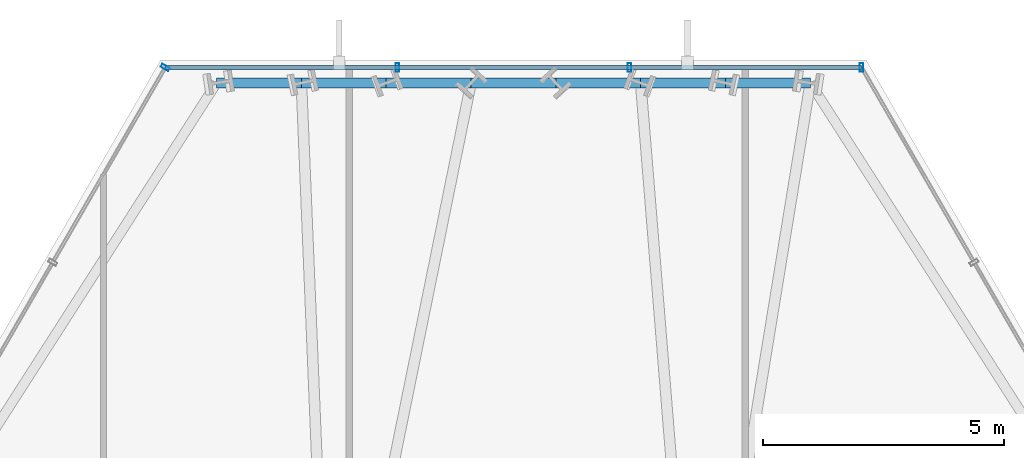
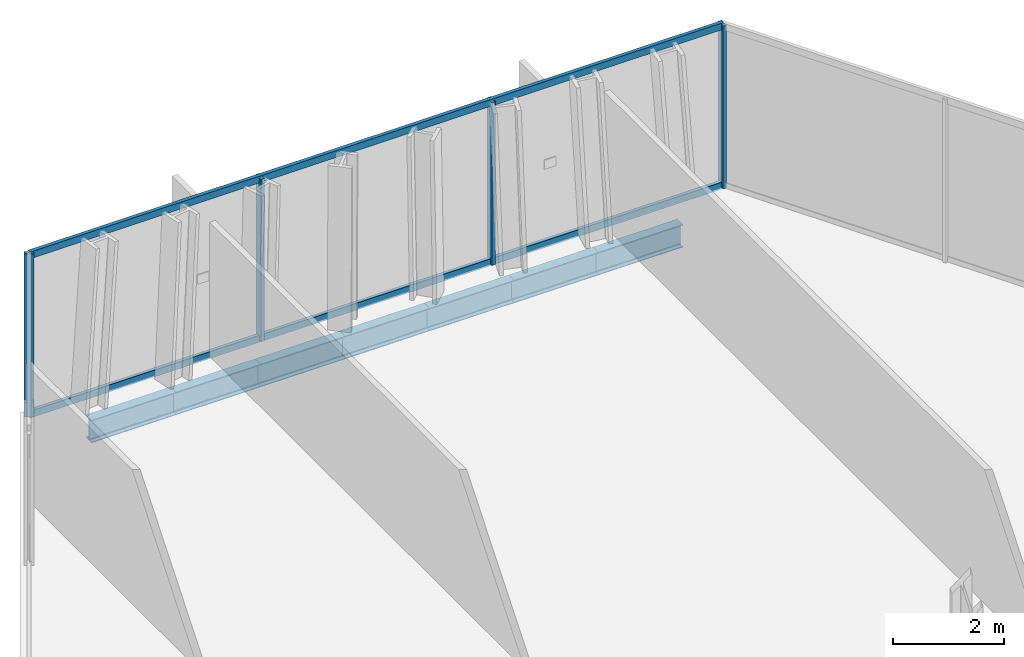
# One storey, part 24 of 33: 7 beams, 6 members, 2 elements without a shape of their own.
"""IFC4 building model written with IfcOpenShell, lengths in metres."""

from ifc_helpers import new_model, si_unit, direction, frame, origin, origin_2d, place, context, subcontext, project, spatial, hollow_rectangle, i_section, extrude, material, layer, layer_set, material_profile, profile_set, type_object, element, aggregate, save


model = new_model("IFC4")

# Units and contexts
model_context = context("Model", 3, precision=1e-05, world=origin(), true_north=direction((0.0, 1.0)))
body_context = subcontext(model_context, "Body", "Model", "MODEL_VIEW")
ifc_project = project(units=[si_unit("LENGTHUNIT", "METRE"), si_unit("AREAUNIT", "SQUARE_METRE"), si_unit("VOLUMEUNIT", "CUBIC_METRE"), si_unit("PLANEANGLEUNIT", "RADIAN"), si_unit("MASSUNIT", "GRAM", prefix="KILO")], contexts=[model_context])

# Site, building, storey
site_placement = place(None, origin())
site = spatial("IfcSite", under=ifc_project, at=site_placement, CompositionType="ELEMENT")
building_placement = place(site_placement, origin())
building = spatial("IfcBuilding", under=site, at=building_placement, Name="Ndaravel Arena Tower", CompositionType="ELEMENT")
storey_placement = place(building_placement, frame((0.0, 0.0, 89.199951171875)))
storey = spatial("IfcBuildingStorey", under=building, at=storey_placement, Name="L20", CompositionType="ELEMENT", Elevation=89.199951171875)

# Beams
ifc_material_1 = material(Name="Steel S355", Category="steel")
ifc_material_profile_1 = material_profile(ifc_material_1, i_section(OverallWidth=0.199951171875, OverallDepth=0.5, WebThickness=0.01025390625, FlangeThickness=0.01611328125, FilletRadius=0.02099609375, at=origin_2d()), Name="IPE 500")
ifc_profile_set_1 = profile_set([ifc_material_profile_1], Name="Steel S355")
beam_type = type_object("IfcBeamType", Name="BM-SPAN-IPE500", PredefinedType="SPANDREL", material=ifc_profile_set_1)
beam_1_placement = place(storey_placement, frame((48.147216796875, 45.575927734375, -0.469970703125), z_axis=(-1.0, 0.0, 0.0), x_axis=(0.0, -1.0, 0.0)))
element("IfcBeam", 1, at=beam_1_placement, inside=storey, type_object=beam_type, Name="L20 Perimeter Spandrel Beam SP-11", PredefinedType="SPANDREL", context=body_context, shape_type="SweptSolid", body=[
    extrude(i_section(OverallWidth=0.199951171875, OverallDepth=0.5, WebThickness=0.01025390625, FlangeThickness=0.01611328125, FilletRadius=0.02099609375, at=origin_2d()), origin(), (0.0, 0.0, 1.0), 1.756591796875),
])
beam_2_placement = place(storey_placement, frame((46.390625, 45.575927734375, -0.469970703125), z_axis=(-1.0, 0.0, 0.0), x_axis=(0.0, -1.0, 0.0)))
element("IfcBeam", 2, at=beam_2_placement, inside=storey, type_object=beam_type, Name="L20 Perimeter Spandrel Beam SP-12", PredefinedType="SPANDREL", context=body_context, shape_type="SweptSolid", body=[
    extrude(i_section(OverallWidth=0.199951171875, OverallDepth=0.5, WebThickness=0.01025390625, FlangeThickness=0.01611328125, FilletRadius=0.02099609375, at=origin_2d()), origin(), (0.0, 0.0, 1.0), 1.756103515625),
])
for number, where, z_axis, x_axis, name in (
    (3, (44.634521484375, 45.575927734375, -0.469970703125), (-1.0, 0.0, 0.0), (0.0, -1.0, 0.0), "L20 Perimeter Spandrel Beam SP-13"),
    (4, (42.878173828125, 45.575927734375, -0.469970703125), (-1.0, 0.0, 0.0), (0.0, -1.0, 0.0), "L20 Perimeter Spandrel Beam SP-14"),
    (5, (41.121826171875, 45.575927734375, -0.469970703125), (-1.0, 0.0, 0.0), (0.0, -1.0, 0.0), "L20 Perimeter Spandrel Beam SP-15"),
):
    element("IfcBeam", number, at=place(storey_placement, frame(where, z_axis=z_axis, x_axis=x_axis)), inside=storey, type_object=beam_type, Name=name, PredefinedType="SPANDREL", context=body_context, shape_type="SweptSolid", body=[
        extrude(i_section(OverallWidth=0.199951171875, OverallDepth=0.5, WebThickness=0.01025390625, FlangeThickness=0.01611328125, FilletRadius=0.02099609375, at=origin_2d()), origin(), (0.0, 0.0, 1.0), 1.75634765625),
    ])
beam_3_placement = place(storey_placement, frame((39.365478515625, 45.575927734375, -0.469970703125), z_axis=(-1.0, 0.0, 0.0), x_axis=(0.0, -1.0, 0.0)))
element("IfcBeam", 6, at=beam_3_placement, inside=storey, type_object=beam_type, Name="L20 Perimeter Spandrel Beam SP-16", PredefinedType="SPANDREL", context=body_context, shape_type="SweptSolid", body=[
    extrude(i_section(OverallWidth=0.199951171875, OverallDepth=0.5, WebThickness=0.01025390625, FlangeThickness=0.01611328125, FilletRadius=0.02099609375, at=origin_2d()), origin(), (0.0, 0.0, 1.0), 1.756103515625),
])
beam_4_placement = place(storey_placement, frame((37.609375, 45.575927734375, -0.469970703125), z_axis=(-1.0, 0.0, 0.0), x_axis=(0.0, -1.0, 0.0)))
element("IfcBeam", 7, at=beam_4_placement, inside=storey, type_object=beam_type, Name="L20 Perimeter Spandrel Beam SP-17", PredefinedType="SPANDREL", context=body_context, shape_type="SweptSolid", body=[
    extrude(i_section(OverallWidth=0.199951171875, OverallDepth=0.5, WebThickness=0.01025390625, FlangeThickness=0.01611328125, FilletRadius=0.02099609375, at=origin_2d()), origin(), (0.0, 0.0, 1.0), 1.756591796875),
])

# Curtain wall, members
ifc_material_2 = material(Name="Aluminium", Category="aluminium")
ifc_layer_1 = layer(ifc_material_2, 0.179931640625)
ifc_layer_set_1 = layer_set([ifc_layer_1], Name="Aluminium")
curtain_wall_type_1 = type_object("IfcCurtainWallType", Name="CW-SYS-01", PredefinedType="NOTDEFINED", material=ifc_layer_set_1)
curtain_wall_1_placement = place(storey_placement, origin())
curtain_wall_1 = element("IfcCurtainWall", 8, at=curtain_wall_1_placement, inside=storey, type_object=curtain_wall_type_1, Name="L20 Faceted Crystal Curtain Wall CW-L20-E04", PredefinedType="NOTDEFINED")
ifc_material_3 = material(Name="Aluminium", Category="aluminium")
ifc_material_profile_2 = material_profile(ifc_material_3, hollow_rectangle(XDim=0.074951171875, YDim=0.179931640625, WallThickness=0.00390625, at=origin_2d()), Name="CW MULLION 75x180x4")
ifc_profile_set_2 = profile_set([ifc_material_profile_2], Name="Aluminium")
member_type_1 = type_object("IfcMemberType", Name="MEM-CW-MUL180", PredefinedType="MULLION", material=ifc_profile_set_2)
member_1_placement = place(storey_placement, frame((49.2099609375, 45.89599609375, 0.0), z_axis=(0.0, 0.0, 1.0), x_axis=(-1.0, 0.0, 0.0)))
member_1 = element("IfcMember", 9, at=member_1_placement, type_object=member_type_1, Name="CW-L20-E04 Mullion 00", PredefinedType="MULLION", context=body_context, shape_type="SweptSolid", body=[
    extrude(hollow_rectangle(XDim=0.074951171875, YDim=0.179931640625, WallThickness=0.00390625, at=origin_2d()), origin(), (0.0, 0.0, 1.0), 3.580078125),
])
member_2_placement = place(storey_placement, frame((44.4033203125, 45.89599609375, 0.0), z_axis=(0.0, 0.0, 1.0), x_axis=(-1.0, 0.0, 0.0)))
member_2 = element("IfcMember", 10, at=member_2_placement, type_object=member_type_1, Name="CW-L20-E04 Mullion 01", PredefinedType="MULLION", context=body_context, shape_type="SweptSolid", body=[
    extrude(hollow_rectangle(XDim=0.074951171875, YDim=0.179931640625, WallThickness=0.00390625, at=origin_2d()), origin(), (0.0, 0.0, 1.0), 3.580078125),
])
member_3_placement = place(storey_placement, frame((39.5966796875, 45.89599609375, 0.0), z_axis=(0.0, 0.0, 1.0), x_axis=(-1.0, 0.0, 0.0)))
member_3 = element("IfcMember", 11, at=member_3_placement, type_object=member_type_1, Name="CW-L20-E04 Mullion 02", PredefinedType="MULLION", context=body_context, shape_type="SweptSolid", body=[
    extrude(hollow_rectangle(XDim=0.074951171875, YDim=0.179931640625, WallThickness=0.00390625, at=origin_2d()), origin(), (0.0, 0.0, 1.0), 3.580078125),
])

# Curtain wall, member
ifc_material_4 = material(Name="Aluminium", Category="aluminium")
ifc_layer_2 = layer(ifc_material_4, 0.179931640625)
ifc_layer_set_2 = layer_set([ifc_layer_2], Name="Aluminium")
curtain_wall_type_2 = type_object("IfcCurtainWallType", Name="CW-SYS-03", PredefinedType="NOTDEFINED", material=ifc_layer_set_2)
curtain_wall_2_placement = place(storey_placement, origin())
curtain_wall_2 = element("IfcCurtainWall", 12, at=curtain_wall_2_placement, inside=storey, type_object=curtain_wall_type_2, Name="L20 Faceted Crystal Curtain Wall CW-L20-E05", PredefinedType="NOTDEFINED")
member_4_placement = place(storey_placement, frame((34.7900390625, 45.89599609375, 0.0), z_axis=(0.0, 0.0, 1.0), x_axis=(-0.5, -0.866025403784, 0.0)))
member_4 = element("IfcMember", 13, at=member_4_placement, type_object=member_type_1, Name="CW-L20-E05 Mullion 00", PredefinedType="MULLION", context=body_context, shape_type="SweptSolid", body=[
    extrude(hollow_rectangle(XDim=0.074951171875, YDim=0.179931640625, WallThickness=0.00390625, at=origin_2d()), origin(), (0.0, 0.0, 1.0), 3.580078125),
])
aggregate(curtain_wall_2, [member_4])

# Member
ifc_material_5 = material(Name="Aluminium", Category="aluminium")
ifc_material_profile_3 = material_profile(ifc_material_5, hollow_rectangle(XDim=0.074951171875, YDim=0.14990234375, WallThickness=0.00390625, at=origin_2d()), Name="CW TRANSOM 75x150x4")
ifc_profile_set_3 = profile_set([ifc_material_profile_3], Name="Aluminium")
member_type_2 = type_object("IfcMemberType", Name="MEM-CW-TRN150", PredefinedType="USERDEFINED", material=ifc_profile_set_3)
member_5_placement = place(storey_placement, frame((49.2099609375, 45.89599609375, 0.0400390625), z_axis=(-1.0, 0.0, 0.0), x_axis=(0.0, -1.0, 0.0)))
member_5 = element("IfcMember", 14, at=member_5_placement, type_object=member_type_2, Name="CW-L20-E04 Transom 01", ObjectType="TRANSOM", PredefinedType="USERDEFINED", context=body_context, shape_type="SweptSolid", body=[
    extrude(hollow_rectangle(XDim=0.074951171875, YDim=0.14990234375, WallThickness=0.00390625, at=origin_2d()), origin(), (0.0, 0.0, 1.0), 14.419921875),
])

member_6_placement = place(storey_placement, frame((49.2099609375, 45.89599609375, 3.5400390625), z_axis=(-1.0, 0.0, 0.0), x_axis=(0.0, -1.0, 0.0)))
member_6 = element("IfcMember", 15, at=member_6_placement, type_object=member_type_2, Name="CW-L20-E04 Transom 02", ObjectType="TRANSOM", PredefinedType="USERDEFINED", context=body_context, shape_type="SweptSolid", body=[
    extrude(hollow_rectangle(XDim=0.074951171875, YDim=0.14990234375, WallThickness=0.00390625, at=origin_2d()), origin(), (0.0, 0.0, 1.0), 14.419921875),
])

aggregate(curtain_wall_1, [member_1, member_2, member_3, member_5, member_6])

save(model, "model.ifc")
